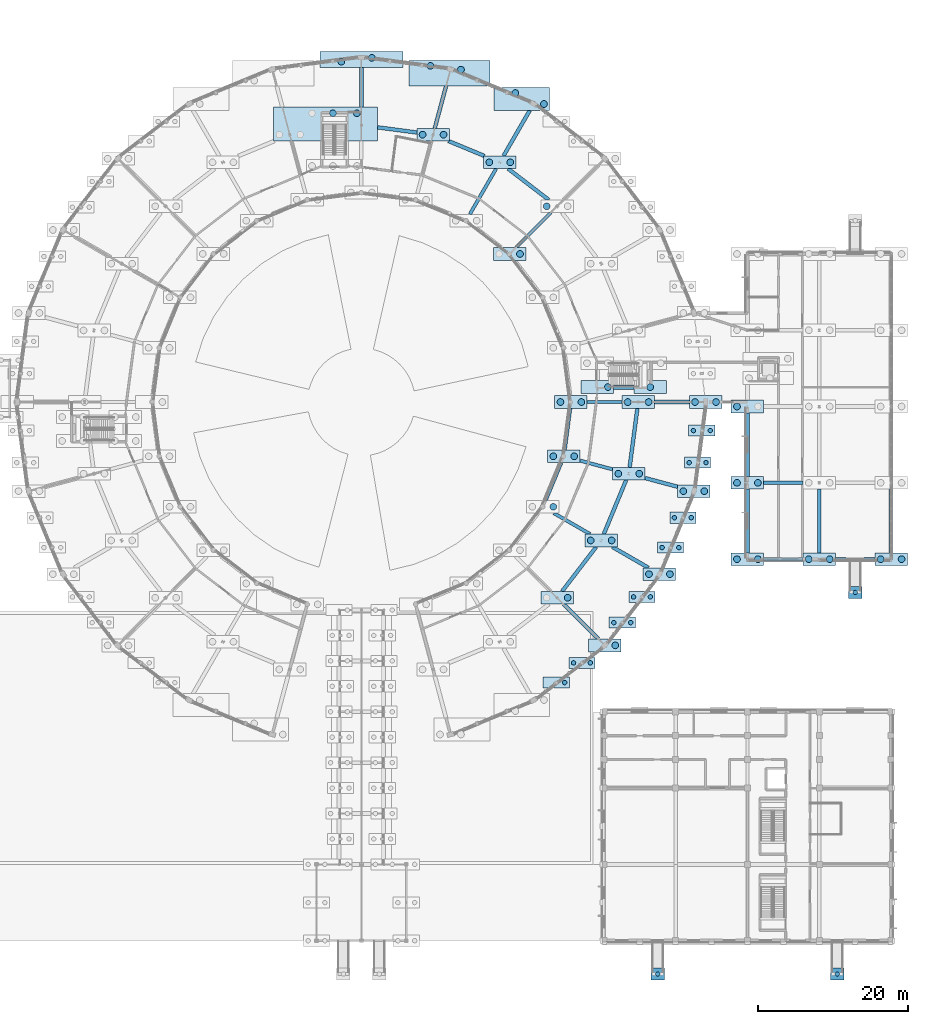
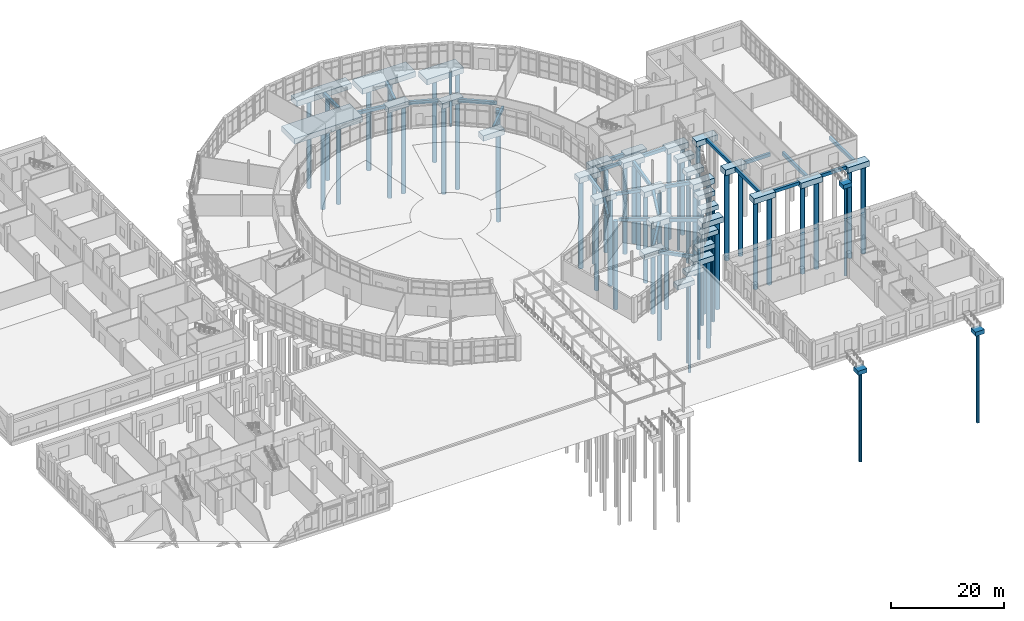
# One storey, part 4 of 137: 63 footings, 62 piles.
"""IFC4 building model written with IfcOpenShell, lengths in metres."""

from ifc_helpers import new_model, si_unit, direction, frame, origin, origin_2d, place, context, subcontext, project, spatial, polyline, rectangle, circle, outline, extrude, material, material_profile, profile_set, type_object, element, save


model = new_model("IFC4")

# Units and contexts
model_context = context("Model", 3, precision=1e-05, world=origin(), true_north=direction((0.0, 1.0)))
body_context = subcontext(model_context, "Body", "Model", "MODEL_VIEW")
ifc_project = project(units=[si_unit("LENGTHUNIT", "METRE"), si_unit("AREAUNIT", "SQUARE_METRE"), si_unit("VOLUMEUNIT", "CUBIC_METRE"), si_unit("PLANEANGLEUNIT", "RADIAN"), si_unit("MASSUNIT", "GRAM", prefix="KILO")], contexts=[model_context])

# Site, building, storey
site_placement = place(None, origin())
site = spatial("IfcSite", under=ifc_project, at=site_placement, CompositionType="ELEMENT")
building_placement = place(site_placement, origin())
building = spatial("IfcBuilding", under=site, at=building_placement, Name="Vondelvale Polytechnic", CompositionType="ELEMENT")
storey_placement = place(building_placement, origin())
storey = spatial("IfcBuildingStorey", under=building, at=storey_placement, Name="L00", CompositionType="ELEMENT", Elevation=0.0)

# Footings
ifc_material = material(Name="Concrete N40 (f'c = 40 MPa)", Category="concrete")
footing_type_1 = type_object("IfcFootingType", Name="GB-450x650", PredefinedType="FOOTING_BEAM", material=ifc_material)
footing_1_placement = place(storey_placement, frame((0.0, 0.0, -1.050048828125)))
element("IfcFooting", 1, at=footing_1_placement, inside=storey, type_object=footing_type_1, Name="Ground tie beam GB-071", PredefinedType="FOOTING_BEAM", context=body_context, shape_type="SweptSolid", body=[
    extrude(outline(polyline([(132.169921875, 71.77490234375), (132.169921875, 72.22509765625), (136.830078125, 72.22509765625), (136.830078125, 71.77490234375), (132.169921875, 71.77490234375)])), origin(), (0.0, 0.0, 1.0), 0.650146484375),
])
footing_2_placement = place(storey_placement, frame((0.0, 0.0, -1.050048828125)))
element("IfcFooting", 2, at=footing_2_placement, inside=storey, type_object=footing_type_1, Name="Ground tie beam GB-077", PredefinedType="FOOTING_BEAM", context=body_context, shape_type="SweptSolid", body=[
    extrude(outline(polyline([(127.47216796875, 97.15380859375), (122.96728515625, 92.64892578125), (122.64892578125, 92.64892578125), (122.489990234375, 92.80810546875), (126.994873046875, 97.31298828125), (127.31298828125, 97.31298828125), (127.47216796875, 97.15380859375)])), origin(), (0.0, 0.0, 1.0), 0.650146484375),
])
footing_3_placement = place(storey_placement, frame((0.0, 0.0, -1.050048828125)))
element("IfcFooting", 3, at=footing_3_placement, inside=storey, type_object=footing_type_1, Name="Ground tie beam GB-079", PredefinedType="FOOTING_BEAM", context=body_context, shape_type="SweptSolid", body=[
    extrude(outline(polyline([(120.2041015625, 103.08056640625), (116.750732421875, 97.09912109375), (116.490966796875, 97.09912109375), (116.296142578125, 97.21142578125), (119.74951171875, 103.193115234375), (120.00927734375, 103.193115234375), (120.2041015625, 103.08056640625)])), origin(), (0.0, 0.0, 1.0), 0.650146484375),
])
footing_4_placement = place(storey_placement, frame((0.0, 0.0, -1.050048828125)))
element("IfcFooting", 4, at=footing_4_placement, inside=storey, type_object=footing_type_1, Name="Ground tie beam GB-114", PredefinedType="FOOTING_BEAM", context=body_context, shape_type="SweptSolid", body=[
    extrude(outline(polyline([(127.6083984375, 56.955078125), (127.720947265625, 57.14990234375), (128.1708984375, 57.14990234375), (132.68310546875, 54.544921875), (132.57080078125, 54.35009765625), (132.12060546875, 54.35009765625), (127.6083984375, 56.955078125)])), origin(), (0.0, 0.0, 1.0), 0.650146484375),
])
footing_5_placement = place(storey_placement, frame((0.0, 0.0, -1.050048828125)))
element("IfcFooting", 5, at=footing_5_placement, inside=storey, type_object=footing_type_1, Name="Ground tie beam GB-116", PredefinedType="FOOTING_BEAM", context=body_context, shape_type="SweptSolid", body=[
    extrude(outline(polyline([(135.5107421875, 62.787841796875), (131.216064453125, 63.938720703125), (131.216064453125, 64.171630859375), (131.274169921875, 64.388916015625), (135.569091796875, 63.23828125), (135.569091796875, 63.005126953125), (135.5107421875, 62.787841796875)])), origin(), (0.0, 0.0, 1.0), 0.650146484375),
])
footing_type_2 = type_object("IfcFootingType", Name="GB-500x700", PredefinedType="FOOTING_BEAM", material=ifc_material)
footing_6_placement = place(storey_placement, frame((0.0, 0.0, -1.10009765625)))
element("IfcFooting", 6, at=footing_6_placement, inside=storey, type_object=footing_type_2, Name="Ground tie beam GB-072", PredefinedType="FOOTING_BEAM", context=body_context, shape_type="SweptSolid", body=[
    extrude(outline(polyline([(141.169921875, 71.75), (141.169921875, 72.25), (145.830078125, 72.25), (145.830078125, 71.75), (141.169921875, 71.75)])), origin(), (0.0, 0.0, 1.0), 0.7001953125),
])
footing_7_placement = place(storey_placement, frame((0.0, 0.0, -1.10009765625)))
element("IfcFooting", 7, at=footing_7_placement, inside=storey, type_object=footing_type_2, Name="Ground tie beam GB-080", PredefinedType="FOOTING_BEAM", context=body_context, shape_type="SweptSolid", body=[
    extrude(outline(polyline([(124.7255859375, 110.862060546875), (121.279541015625, 104.89306640625), (120.99072265625, 104.89306640625), (120.7744140625, 105.01806640625), (124.220458984375, 110.987060546875), (124.509033203125, 110.987060546875), (124.7255859375, 110.862060546875)])), origin(), (0.0, 0.0, 1.0), 0.7001953125),
])
footing_8_placement = place(storey_placement, frame((0.0, 0.0, -1.10009765625)))
element("IfcFooting", 8, at=footing_8_placement, inside=storey, type_object=footing_type_2, Name="Ground tie beam GB-082", PredefinedType="FOOTING_BEAM", context=body_context, shape_type="SweptSolid", body=[
    extrude(outline(polyline([(113.55224609375, 114.147216796875), (112.062744140625, 108.589111328125), (111.803955078125, 108.589111328125), (111.5625, 108.65380859375), (113.052001953125, 114.2119140625), (113.310791015625, 114.2119140625), (113.55224609375, 114.147216796875)])), origin(), (0.0, 0.0, 1.0), 0.7001953125),
])
footing_9_placement = place(storey_placement, frame((0.0, 0.0, -1.10009765625)))
element("IfcFooting", 9, at=footing_9_placement, inside=storey, type_object=footing_type_2, Name="Ground tie beam GB-085", PredefinedType="FOOTING_BEAM", context=body_context, shape_type="SweptSolid", body=[
    extrude(outline(polyline([(102.25, 111.449951171875), (101.75, 111.449951171875), (101.75, 116.748046875), (102.25, 116.748046875), (102.25, 111.449951171875)])), origin(), (0.0, 0.0, 1.0), 0.7001953125),
])
footing_10_placement = place(storey_placement, frame((0.0, 0.0, -1.10009765625)))
element("IfcFooting", 10, at=footing_10_placement, inside=storey, type_object=footing_type_2, Name="Ground tie beam GB-113", PredefinedType="FOOTING_BEAM", context=body_context, shape_type="SweptSolid", body=[
    extrude(outline(polyline([(128.836181640625, 44.810302734375), (129.012939453125, 44.987060546875), (129.36669921875, 44.987060546875), (133.853759765625, 40.499755859375), (133.677001953125, 40.322998046875), (133.323486328125, 40.322998046875), (128.836181640625, 44.810302734375)])), origin(), (0.0, 0.0, 1.0), 0.7001953125),
])
footing_11_placement = place(storey_placement, frame((0.0, 0.0, -1.10009765625)))
element("IfcFooting", 11, at=footing_11_placement, inside=storey, type_object=footing_type_2, Name="Ground tie beam GB-115", PredefinedType="FOOTING_BEAM", context=body_context, shape_type="SweptSolid", body=[
    extrude(outline(polyline([(135.39013671875, 52.43359375), (135.51513671875, 52.64990234375), (136.01513671875, 52.64990234375), (140.489990234375, 50.06640625), (140.364990234375, 49.85009765625), (139.864990234375, 49.85009765625), (135.39013671875, 52.43359375)])), origin(), (0.0, 0.0, 1.0), 0.7001953125),
])
footing_12_placement = place(storey_placement, frame((0.0, 0.0, -1.10009765625)))
element("IfcFooting", 12, at=footing_12_placement, inside=storey, type_object=footing_type_2, Name="Ground tie beam GB-117", PredefinedType="FOOTING_BEAM", context=body_context, shape_type="SweptSolid", body=[
    extrude(outline(polyline([(144.1982421875, 60.43408203125), (139.908935546875, 61.58349609375), (139.908935546875, 61.84228515625), (139.9736328125, 62.083740234375), (144.262939453125, 60.9345703125), (144.262939453125, 60.67578125), (144.1982421875, 60.43408203125)])), origin(), (0.0, 0.0, 1.0), 0.7001953125),
])
footing_13_placement = place(storey_placement, frame((0.0, 0.0, -1.10009765625)))
element("IfcFooting", 13, at=footing_13_placement, inside=storey, type_object=footing_type_2, Name="Ground tie beam GB-125", PredefinedType="FOOTING_BEAM", context=body_context, shape_type="SweptSolid", body=[
    extrude(outline(polyline([(127.20751953125, 99.211181640625), (127.05517578125, 99.012939453125), (126.64453125, 99.012939453125), (121.455322265625, 102.99462890625), (121.607666015625, 103.193115234375), (122.018310546875, 103.193115234375), (127.20751953125, 99.211181640625)])), origin(), (0.0, 0.0, 1.0), 0.7001953125),
])
footing_14_placement = place(storey_placement, frame((0.0, 0.0, -1.10009765625)))
element("IfcFooting", 14, at=footing_14_placement, inside=storey, type_object=footing_type_2, Name="Ground tie beam GB-127", PredefinedType="FOOTING_BEAM", context=body_context, shape_type="SweptSolid", body=[
    extrude(outline(polyline([(118.54345703125, 105.1240234375), (118.44775390625, 104.89306640625), (118.330078125, 104.89306640625), (118.330078125, 104.671142578125), (113.533447265625, 106.657958984375), (113.629150390625, 106.888916015625), (113.74609375, 106.888916015625), (113.74609375, 107.111083984375), (118.54345703125, 105.1240234375)])), origin(), (0.0, 0.0, 1.0), 0.7001953125),
])
footing_15_placement = place(storey_placement, frame((0.0, 0.0, -1.10009765625)))
element("IfcFooting", 15, at=footing_15_placement, inside=storey, type_object=footing_type_2, Name="Ground tie beam GB-129", PredefinedType="FOOTING_BEAM", context=body_context, shape_type="SweptSolid", body=[
    extrude(outline(polyline([(104.20263671875, 108.962158203125), (109.406005859375, 108.277099609375), (109.406005859375, 108.02490234375), (109.373291015625, 107.777099609375), (104.169921875, 108.462158203125), (104.169921875, 108.71435546875), (104.20263671875, 108.962158203125)])), origin(), (0.0, 0.0, 1.0), 0.7001953125),
])
footing_16_placement = place(storey_placement, frame((0.0, 0.0, -1.10009765625)))
element("IfcFooting", 16, at=footing_16_placement, inside=storey, type_object=footing_type_2, Name="Ground tie beam GB-156", PredefinedType="FOOTING_BEAM", context=body_context, shape_type="SweptSolid", body=[
    extrude(outline(polyline([(133.589111328125, 52.497802734375), (129.13037109375, 46.68701171875), (128.815185546875, 46.68701171875), (128.616943359375, 46.839111328125), (133.07568359375, 52.64990234375), (133.390625, 52.64990234375), (133.589111328125, 52.497802734375)])), origin(), (0.0, 0.0, 1.0), 0.7001953125),
])
footing_17_placement = place(storey_placement, frame((0.0, 0.0, -1.10009765625)))
element("IfcFooting", 17, at=footing_17_placement, inside=storey, type_object=footing_type_2, Name="Ground tie beam GB-157", PredefinedType="FOOTING_BEAM", context=body_context, shape_type="SweptSolid", body=[
    extrude(outline(polyline([(128.9248046875, 63.807373046875), (126.871337890625, 58.85009765625), (126.600830078125, 58.85009765625), (126.369873046875, 58.94580078125), (128.423095703125, 63.903076171875), (128.69384765625, 63.903076171875), (128.9248046875, 63.807373046875)])), origin(), (0.0, 0.0, 1.0), 0.7001953125),
])
footing_18_placement = place(storey_placement, frame((0.0, 0.0, -1.10009765625)))
element("IfcFooting", 18, at=footing_18_placement, inside=storey, type_object=footing_type_2, Name="Ground tie beam GB-158", PredefinedType="FOOTING_BEAM", context=body_context, shape_type="SweptSolid", body=[
    extrude(outline(polyline([(137.618408203125, 61.478271484375), (134.66552734375, 54.35009765625), (134.39501953125, 54.35009765625), (134.1640625, 54.44580078125), (137.11669921875, 61.573974609375), (137.38720703125, 61.573974609375), (137.618408203125, 61.478271484375)])), origin(), (0.0, 0.0, 1.0), 0.7001953125),
])
footing_19_placement = place(storey_placement, frame((0.0, 0.0, -1.10009765625)))
element("IfcFooting", 19, at=footing_19_placement, inside=storey, type_object=footing_type_2, Name="Ground tie beam GB-159", PredefinedType="FOOTING_BEAM", context=body_context, shape_type="SweptSolid", body=[
    extrude(outline(polyline([(130.135986328125, 71.117431640625), (129.409912109375, 65.60302734375), (129.15771484375, 65.60302734375), (128.909912109375, 65.635498046875), (129.635986328125, 71.14990234375), (129.88818359375, 71.14990234375), (130.135986328125, 71.117431640625)])), origin(), (0.0, 0.0, 1.0), 0.7001953125),
])
footing_20_placement = place(storey_placement, frame((0.0, 0.0, -1.10009765625)))
element("IfcFooting", 20, at=footing_20_placement, inside=storey, type_object=footing_type_2, Name="Ground tie beam GB-160", PredefinedType="FOOTING_BEAM", context=body_context, shape_type="SweptSolid", body=[
    extrude(outline(polyline([(139.135986328125, 71.117431640625), (138.103515625, 63.27392578125), (137.851318359375, 63.27392578125), (137.603515625, 63.306640625), (138.635986328125, 71.14990234375), (138.88818359375, 71.14990234375), (139.135986328125, 71.117431640625)])), origin(), (0.0, 0.0, 1.0), 0.7001953125),
])
footing_21_placement = place(storey_placement, frame((0.0, 0.0, -1.10009765625)))
element("IfcFooting", 21, at=footing_21_placement, inside=storey, type_object=footing_type_2, Name="Ground tie beam GB-161", PredefinedType="FOOTING_BEAM", context=body_context, shape_type="SweptSolid", body=[
    extrude(outline(polyline([(155.77001953125, 50.75), (155.77001953125, 51.25), (161.030029296875, 51.25), (161.030029296875, 50.75), (155.77001953125, 50.75)])), origin(), (0.0, 0.0, 1.0), 0.7001953125),
])
footing_22_placement = place(storey_placement, frame((0.0, 0.0, -1.10009765625)))
element("IfcFooting", 22, at=footing_22_placement, inside=storey, type_object=footing_type_2, Name="Ground tie beam GB-162", PredefinedType="FOOTING_BEAM", context=body_context, shape_type="SweptSolid", body=[
    extrude(outline(polyline([(165.3701171875, 50.75), (165.3701171875, 51.25), (170.6298828125, 51.25), (170.6298828125, 50.75), (165.3701171875, 50.75)])), origin(), (0.0, 0.0, 1.0), 0.7001953125),
])
footing_23_placement = place(storey_placement, frame((0.0, 0.0, -1.10009765625)))
element("IfcFooting", 23, at=footing_23_placement, inside=storey, type_object=footing_type_2, Name="Ground tie beam GB-163", PredefinedType="FOOTING_BEAM", context=body_context, shape_type="SweptSolid", body=[
    extrude(outline(polyline([(155.77001953125, 60.949951171875), (155.77001953125, 61.449951171875), (161.030029296875, 61.449951171875), (161.030029296875, 60.949951171875), (155.77001953125, 60.949951171875)])), origin(), (0.0, 0.0, 1.0), 0.7001953125),
])
footing_24_placement = place(storey_placement, frame((0.0, 0.0, -1.10009765625)))
element("IfcFooting", 24, at=footing_24_placement, inside=storey, type_object=footing_type_2, Name="Ground tie beam GB-171", PredefinedType="FOOTING_BEAM", context=body_context, shape_type="SweptSolid", body=[
    extrude(outline(polyline([(153.85009765625, 51.85009765625), (153.35009765625, 51.85009765625), (153.35009765625, 60.35009765625), (153.85009765625, 60.35009765625), (153.85009765625, 51.85009765625)])), origin(), (0.0, 0.0, 1.0), 0.7001953125),
])
footing_25_placement = place(storey_placement, frame((0.0, 0.0, -1.10009765625)))
element("IfcFooting", 25, at=footing_25_placement, inside=storey, type_object=footing_type_2, Name="Ground tie beam GB-172", PredefinedType="FOOTING_BEAM", context=body_context, shape_type="SweptSolid", body=[
    extrude(outline(polyline([(153.85009765625, 62.050048828125), (153.35009765625, 62.050048828125), (153.35009765625, 70.550048828125), (153.85009765625, 70.550048828125), (153.85009765625, 62.050048828125)])), origin(), (0.0, 0.0, 1.0), 0.7001953125),
])
footing_26_placement = place(storey_placement, frame((0.0, 0.0, -1.10009765625)))
element("IfcFooting", 26, at=footing_26_placement, inside=storey, type_object=footing_type_2, Name="Ground tie beam GB-176", PredefinedType="FOOTING_BEAM", context=body_context, shape_type="SweptSolid", body=[
    extrude(outline(polyline([(163.449951171875, 51.85009765625), (162.949951171875, 51.85009765625), (162.949951171875, 60.35009765625), (163.449951171875, 60.35009765625), (163.449951171875, 51.85009765625)])), origin(), (0.0, 0.0, 1.0), 0.7001953125),
])
footing_27_placement = place(storey_placement, frame((0.0, 0.0, -1.10009765625)))
element("IfcFooting", 27, at=footing_27_placement, inside=storey, type_object=footing_type_2, Name="Ground tie beam GB-180", PredefinedType="FOOTING_BEAM", context=body_context, shape_type="SweptSolid", body=[
    extrude(outline(polyline([(173.050048828125, 51.85009765625), (172.550048828125, 51.85009765625), (172.550048828125, 60.35009765625), (173.050048828125, 60.35009765625), (173.050048828125, 51.85009765625)])), origin(), (0.0, 0.0, 1.0), 0.7001953125),
])
footing_type_3 = type_object("IfcFootingType", Name="GB-600x800", PredefinedType="FOOTING_BEAM", material=ifc_material)
footing_28_placement = place(storey_placement, frame((0.0, 0.0, -1.199951171875)))
element("IfcFooting", 28, at=footing_28_placement, inside=storey, type_object=footing_type_3, Name="Ground tie beam GB-210", PredefinedType="FOOTING_BEAM", context=body_context, shape_type="SweptSolid", body=[
    extrude(outline(polyline([(135.719970703125, 73.699951171875), (135.719970703125, 74.300048828125), (138.429931640625, 74.300048828125), (138.429931640625, 73.699951171875), (135.719970703125, 73.699951171875)])), origin(), (0.0, 0.0, 1.0), 0.800048828125),
])
footing_type_4 = type_object("IfcFootingType", Name="PC-10850x3472x1200", PredefinedType="PILE_CAP", material=ifc_material)
footing_29_placement = place(storey_placement, frame((113.77587890625, 115.947998046875, -1.60009765625), z_axis=(0.0, 0.0, 1.0), x_axis=(1.0, 0.0, 0.0)))
element("IfcFooting", 29, at=footing_29_placement, inside=storey, type_object=footing_type_4, Name="Pile cap PC-170", PredefinedType="PILE_CAP", context=body_context, shape_type="SweptSolid", body=[
    extrude(rectangle(XDim=10.85009765625, YDim=3.471923828125, at=origin_2d()), origin(), (0.0, 0.0, 1.0), 1.199951171875),
])
footing_type_5 = type_object("IfcFootingType", Name="PC-11110x2102x1200", PredefinedType="PILE_CAP", material=ifc_material)
footing_30_placement = place(storey_placement, frame((102.0, 117.799072265625, -1.60009765625), z_axis=(0.0, 0.0, 1.0), x_axis=(1.0, 0.0, 0.0)))
element("IfcFooting", 30, at=footing_30_placement, inside=storey, type_object=footing_type_5, Name="Pile cap PC-143", PredefinedType="PILE_CAP", context=body_context, shape_type="SweptSolid", body=[
    extrude(rectangle(XDim=11.110107421875, YDim=2.10205078125, at=origin_2d()), origin(), (0.0, 0.0, 1.0), 1.199951171875),
])
footing_type_6 = type_object("IfcFootingType", Name="PC-13916x4561x1200", PredefinedType="PILE_CAP", material=ifc_material)
footing_31_placement = place(storey_placement, frame((97.2119140625, 109.1689453125, -1.60009765625), z_axis=(0.0, 0.0, 1.0), x_axis=(1.0, 0.0, 0.0)))
element("IfcFooting", 31, at=footing_31_placement, inside=storey, type_object=footing_type_6, Name="Pile cap PC-136", PredefinedType="PILE_CAP", context=body_context, shape_type="SweptSolid", body=[
    extrude(rectangle(XDim=13.916015625, YDim=4.56103515625, at=origin_2d()), origin(), (0.0, 0.0, 1.0), 1.199951171875),
])
footing_type_7 = type_object("IfcFootingType", Name="PC-1800x1600x900", PredefinedType="PILE_CAP", material=ifc_material)
for number, where, z_axis, x_axis, name in (
    (32, (141.60009765625, -4.449951171875, -1.179931640625), (0.0, 0.0, 1.0), (1.0, 0.0, 0.0), "Pile cap PCR-RMP-03"),
    (33, (165.60009765625, -4.449951171875, -1.179931640625), (0.0, 0.0, 1.0), (1.0, 0.0, 0.0), "Pile cap PCR-RMP-04"),
    (34, (168.0, 46.550048828125, -1.179931640625), (0.0, 0.0, 1.0), (1.0, 0.0, 0.0), "Pile cap PCR-RMP-05"),
):
    element("IfcFooting", number, at=place(storey_placement, frame(where, z_axis=z_axis, x_axis=x_axis)), inside=storey, type_object=footing_type_7, Name=name, PredefinedType="PILE_CAP", context=body_context, shape_type="SweptSolid", body=[
        extrude(rectangle(XDim=1.800048828125, YDim=1.60009765625, at=origin_2d()), origin(), (0.0, 0.0, 1.0), 0.89990234375),
    ])
footing_type_8 = type_object("IfcFootingType", Name="PC-3490x1500x1000", PredefinedType="PILE_CAP", material=ifc_material)
for number, where, z_axis, x_axis, name in (
    (35, (128.049072265625, 34.501953125, -1.39990234375), (0.0, 0.0, 1.0), (1.0, 0.0, 0.0), "Pile cap PC-184"),
    (36, (131.47802734375, 37.134033203125, -1.39990234375), (0.0, 0.0, 1.0), (1.0, 0.0, 0.0), "Pile cap PC-191"),
    (37, (136.865966796875, 42.52197265625, -1.39990234375), (0.0, 0.0, 1.0), (1.0, 0.0, 0.0), "Pile cap PC-202"),
    (38, (139.498046875, 45.950927734375, -1.39990234375), (0.0, 0.0, 1.0), (1.0, 0.0, 0.0), "Pile cap PC-208"),
    (39, (143.30810546875, 52.550048828125, -1.39990234375), (0.0, 0.0, 1.0), (1.0, 0.0, 0.0), "Pile cap PC-214"),
    (40, (144.9619140625, 56.5439453125, -1.39990234375), (0.0, 0.0, 1.0), (1.0, 0.0, 0.0), "Pile cap PC-219"),
    (41, (146.93408203125, 63.904052734375, -1.39990234375), (0.0, 0.0, 1.0), (1.0, 0.0, 0.0), "Pile cap PC-223"),
    (42, (147.498046875, 68.18994140625, -1.39990234375), (0.0, 0.0, 1.0), (1.0, 0.0, 0.0), "Pile cap PC-225"),
):
    element("IfcFooting", number, at=place(storey_placement, frame(where, z_axis=z_axis, x_axis=x_axis)), inside=storey, type_object=footing_type_8, Name=name, PredefinedType="PILE_CAP", context=body_context, shape_type="SweptSolid", body=[
        extrude(rectangle(XDim=3.489990234375, YDim=1.5, at=origin_2d()), origin(), (0.0, 0.0, 1.0), 1.0),
    ])
footing_type_9 = type_object("IfcFootingType", Name="PC-4340x1700x1200", PredefinedType="PILE_CAP", material=ifc_material)
for number, where, z_axis, x_axis, name in (
    (43, (111.575927734375, 107.739013671875, -1.60009765625), (0.0, 0.0, 1.0), (1.0, 0.0, 0.0), "Pile cap PC-172"),
    (44, (120.5, 104.04296875, -1.60009765625), (0.0, 0.0, 1.0), (1.0, 0.0, 0.0), "Pile cap PC-177"),
    (45, (121.799072265625, 91.799072265625, -1.60009765625), (0.0, 0.0, 1.0), (1.0, 0.0, 0.0), "Pile cap PC-181"),
    (46, (128.1630859375, 45.8369140625, -1.60009765625), (0.0, 0.0, 1.0), (1.0, 0.0, 0.0), "Pile cap PC-186"),
    (47, (129.0458984375, 64.7529296875, -1.60009765625), (0.0, 0.0, 1.0), (1.0, 0.0, 0.0), "Pile cap PC-188"),
    (48, (130.0, 72.0, -1.60009765625), (0.0, 0.0, 1.0), (1.0, 0.0, 0.0), "Pile cap PC-190"),
    (49, (133.550048828125, 74.0, -1.60009765625), (0.0, 0.0, 1.0), (1.0, 0.0, 0.0), "Pile cap PC-193"),
    (50, (134.04296875, 53.5, -1.60009765625), (0.0, 0.0, 1.0), (1.0, 0.0, 0.0), "Pile cap PC-195"),
    (51, (134.527099609375, 39.472900390625, -1.60009765625), (0.0, 0.0, 1.0), (1.0, 0.0, 0.0), "Pile cap PC-200"),
    (52, (137.739013671875, 62.424072265625, -1.60009765625), (0.0, 0.0, 1.0), (1.0, 0.0, 0.0), "Pile cap PC-204"),
    (53, (139.0, 72.0, -1.60009765625), (0.0, 0.0, 1.0), (1.0, 0.0, 0.0), "Pile cap PC-206"),
    (54, (140.60009765625, 74.0, -1.60009765625), (0.0, 0.0, 1.0), (1.0, 0.0, 0.0), "Pile cap PC-210"),
    (55, (141.8369140625, 49.0, -1.60009765625), (0.0, 0.0, 1.0), (1.0, 0.0, 0.0), "Pile cap PC-212"),
    (56, (146.43310546875, 60.093994140625, -1.60009765625), (0.0, 0.0, 1.0), (1.0, 0.0, 0.0), "Pile cap PC-221"),
    (57, (148.0, 72.0, -1.60009765625), (0.0, 0.0, 1.0), (1.0, 0.0, 0.0), "Pile cap PC-227"),
    (58, (153.60009765625, 51.0, -1.60009765625), (0.0, 0.0, 1.0), (1.0, 0.0, 0.0), "Pile cap PC-232"),
    (59, (153.60009765625, 61.199951171875, -1.60009765625), (0.0, 0.0, 1.0), (1.0, 0.0, 0.0), "Pile cap PC-233"),
    (60, (153.60009765625, 71.39990234375, -1.60009765625), (0.0, 0.0, 1.0), (1.0, 0.0, 0.0), "Pile cap PC-234"),
    (61, (163.199951171875, 51.0, -1.60009765625), (0.0, 0.0, 1.0), (1.0, 0.0, 0.0), "Pile cap PC-241"),
    (62, (172.800048828125, 51.0, -1.60009765625), (0.0, 0.0, 1.0), (1.0, 0.0, 0.0), "Pile cap PC-250"),
):
    element("IfcFooting", number, at=place(storey_placement, frame(where, z_axis=z_axis, x_axis=x_axis)), inside=storey, type_object=footing_type_9, Name=name, PredefinedType="PILE_CAP", context=body_context, shape_type="SweptSolid", body=[
        extrude(rectangle(XDim=4.340087890625, YDim=1.699951171875, at=origin_2d()), origin(), (0.0, 0.0, 1.0), 1.199951171875),
    ])
footing_type_10 = type_object("IfcFootingType", Name="PC-7465x3071x1200", PredefinedType="PILE_CAP", material=ifc_material)
footing_32_placement = place(storey_placement, frame((123.43798828125, 112.52294921875, -1.60009765625), z_axis=(0.0, 0.0, 1.0), x_axis=(1.0, 0.0, 0.0)))
element("IfcFooting", 63, at=footing_32_placement, inside=storey, type_object=footing_type_10, Name="Pile cap PC-179", PredefinedType="PILE_CAP", context=body_context, shape_type="SweptSolid", body=[
    extrude(rectangle(XDim=7.465087890625, YDim=3.071044921875, at=origin_2d()), origin(), (0.0, 0.0, 1.0), 1.199951171875),
])

# Piles
ifc_material_profile_1 = material_profile(ifc_material, circle(Radius=0.300048828125, at=origin_2d()), Name="PILE-D600")
ifc_profile_set_1 = profile_set([ifc_material_profile_1], Name="Concrete N40 (f'c = 40 MPa)")
pile_type_1 = type_object("IfcPileType", Name="PILE-BORED-600", PredefinedType="BORED", material=ifc_profile_set_1)
for number, where, z_axis, x_axis, name in (
    (64, (129.174072265625, 34.501953125, -1.25), (0.0, 0.0, -1.0), (1.0, 0.0, 0.0), "Bored pile BP-600-184-1"),
    (65, (130.35302734375, 37.134033203125, -1.25), (0.0, 0.0, -1.0), (1.0, 0.0, 0.0), "Bored pile BP-600-191-1"),
    (66, (132.60302734375, 37.134033203125, -1.25), (0.0, 0.0, -1.0), (1.0, 0.0, 0.0), "Bored pile BP-600-191-2"),
    (67, (135.740966796875, 42.52197265625, -1.25), (0.0, 0.0, -1.0), (1.0, 0.0, 0.0), "Bored pile BP-600-202-1"),
    (68, (137.990966796875, 42.52197265625, -1.25), (0.0, 0.0, -1.0), (1.0, 0.0, 0.0), "Bored pile BP-600-202-2"),
    (69, (138.373046875, 45.950927734375, -1.25), (0.0, 0.0, -1.0), (1.0, 0.0, 0.0), "Bored pile BP-600-208-1"),
    (70, (140.623046875, 45.950927734375, -1.25), (0.0, 0.0, -1.0), (1.0, 0.0, 0.0), "Bored pile BP-600-208-2"),
    (71, (142.18310546875, 52.550048828125, -1.25), (0.0, 0.0, -1.0), (1.0, 0.0, 0.0), "Bored pile BP-600-214-1"),
    (72, (144.43310546875, 52.550048828125, -1.25), (0.0, 0.0, -1.0), (1.0, 0.0, 0.0), "Bored pile BP-600-214-2"),
    (73, (143.8369140625, 56.5439453125, -1.25), (0.0, 0.0, -1.0), (1.0, 0.0, 0.0), "Bored pile BP-600-219-1"),
    (74, (146.0869140625, 56.5439453125, -1.25), (0.0, 0.0, -1.0), (1.0, 0.0, 0.0), "Bored pile BP-600-219-2"),
    (75, (145.80908203125, 63.904052734375, -1.25), (0.0, 0.0, -1.0), (1.0, 0.0, 0.0), "Bored pile BP-600-223-1"),
    (76, (148.05908203125, 63.904052734375, -1.25), (0.0, 0.0, -1.0), (1.0, 0.0, 0.0), "Bored pile BP-600-223-2"),
    (77, (146.373046875, 68.18994140625, -1.25), (0.0, 0.0, -1.0), (1.0, 0.0, 0.0), "Bored pile BP-600-225-1"),
    (78, (148.623046875, 68.18994140625, -1.25), (0.0, 0.0, -1.0), (1.0, 0.0, 0.0), "Bored pile BP-600-225-2"),
):
    element("IfcPile", number, at=place(storey_placement, frame(where, z_axis=z_axis, x_axis=x_axis)), inside=storey, type_object=pile_type_1, Name=name, PredefinedType="BORED", context=body_context, shape_type="SweptSolid", body=[
        extrude(circle(Radius=0.300048828125, at=origin_2d()), origin(), (0.0, 0.0, 1.0), 19.25),
    ])
for number, where, z_axis, x_axis, name in (
    (79, (141.60009765625, -4.449951171875, -1.030029296875), (0.0, 0.0, -1.0), (1.0, 0.0, 0.0), "Bored pile BPR-RMP-03"),
    (80, (165.60009765625, -4.449951171875, -1.030029296875), (0.0, 0.0, -1.0), (1.0, 0.0, 0.0), "Bored pile BPR-RMP-04"),
    (81, (168.0, 46.550048828125, -1.030029296875), (0.0, 0.0, -1.0), (1.0, 0.0, 0.0), "Bored pile BPR-RMP-05"),
):
    element("IfcPile", number, at=place(storey_placement, frame(where, z_axis=z_axis, x_axis=x_axis)), inside=storey, type_object=pile_type_1, Name=name, PredefinedType="BORED", context=body_context, shape_type="SweptSolid", body=[
        extrude(circle(Radius=0.300048828125, at=origin_2d()), origin(), (0.0, 0.0, 1.0), 19.469970703125),
    ])
ifc_material_profile_2 = material_profile(ifc_material, circle(Radius=0.449951171875, at=origin_2d()), Name="PILE-D900")
ifc_profile_set_2 = profile_set([ifc_material_profile_2], Name="Concrete N40 (f'c = 40 MPa)")
pile_type_2 = type_object("IfcPileType", Name="PILE-BORED-900", PredefinedType="BORED", material=ifc_profile_set_2)
for number, where, z_axis, x_axis, name in (
    (82, (98.199951171875, 110.60009765625, -1.449951171875), (0.0, 0.0, -1.0), (1.0, 0.0, 0.0), "Bored pile BP-900-136-4"),
    (83, (101.39990234375, 110.60009765625, -1.449951171875), (0.0, 0.0, -1.0), (1.0, 0.0, 0.0), "Bored pile BP-900-136-5"),
    (84, (99.31494140625, 117.498046875, -1.449951171875), (0.0, 0.0, -1.0), (1.0, 0.0, 0.0), "Bored pile BP-900-143-1"),
    (85, (103.39990234375, 118.0, -1.449951171875), (0.0, 0.0, -1.0), (1.0, 0.0, 0.0), "Bored pile BP-900-143-2"),
    (86, (111.220947265625, 116.93408203125, -1.449951171875), (0.0, 0.0, -1.0), (1.0, 0.0, 0.0), "Bored pile BP-900-170-1"),
    (87, (115.305908203125, 116.43310546875, -1.449951171875), (0.0, 0.0, -1.0), (1.0, 0.0, 0.0), "Bored pile BP-900-170-2"),
    (88, (110.176025390625, 107.739013671875, -1.449951171875), (0.0, 0.0, -1.0), (1.0, 0.0, 0.0), "Bored pile BP-900-172-1"),
    (89, (112.97607421875, 107.739013671875, -1.449951171875), (0.0, 0.0, -1.0), (1.0, 0.0, 0.0), "Bored pile BP-900-172-2"),
    (90, (119.10009765625, 104.04296875, -1.449951171875), (0.0, 0.0, -1.0), (1.0, 0.0, 0.0), "Bored pile BP-900-177-1"),
    (91, (121.89990234375, 104.04296875, -1.449951171875), (0.0, 0.0, -1.0), (1.0, 0.0, 0.0), "Bored pile BP-900-177-2"),
    (92, (122.574951171875, 113.30810546875, -1.449951171875), (0.0, 0.0, -1.0), (1.0, 0.0, 0.0), "Bored pile BP-900-179-1"),
    (93, (126.39990234375, 111.8369140625, -1.449951171875), (0.0, 0.0, -1.0), (1.0, 0.0, 0.0), "Bored pile BP-900-179-2"),
    (94, (123.198974609375, 91.799072265625, -1.449951171875), (0.0, 0.0, -1.0), (1.0, 0.0, 0.0), "Bored pile BP-900-181-2"),
    (95, (127.64892578125, 58.0, -1.449951171875), (0.0, 0.0, -1.0), (1.0, 0.0, 0.0), "Bored pile BP-900-182-2"),
    (96, (129.56298828125, 45.8369140625, -1.449951171875), (0.0, 0.0, -1.0), (1.0, 0.0, 0.0), "Bored pile BP-900-186-2"),
    (97, (126.762939453125, 98.1630859375, -1.449951171875), (0.0, 0.0, -1.0), (1.0, 0.0, 0.0), "Bored pile BP-900-187-1"),
    (98, (127.64599609375, 64.7529296875, -1.449951171875), (0.0, 0.0, -1.0), (1.0, 0.0, 0.0), "Bored pile BP-900-188-1"),
    (99, (130.446044921875, 64.7529296875, -1.449951171875), (0.0, 0.0, -1.0), (1.0, 0.0, 0.0), "Bored pile BP-900-188-2"),
    (100, (128.60009765625, 72.0, -1.449951171875), (0.0, 0.0, -1.0), (1.0, 0.0, 0.0), "Bored pile BP-900-190-1"),
    (101, (131.39990234375, 72.0, -1.449951171875), (0.0, 0.0, -1.0), (1.0, 0.0, 0.0), "Bored pile BP-900-190-2"),
    (102, (134.949951171875, 74.0, -1.449951171875), (0.0, 0.0, -1.0), (1.0, 0.0, 0.0), "Bored pile BP-900-193-1"),
    (103, (132.64306640625, 53.5, -1.449951171875), (0.0, 0.0, -1.0), (1.0, 0.0, 0.0), "Bored pile BP-900-195-1"),
    (104, (135.443115234375, 53.5, -1.449951171875), (0.0, 0.0, -1.0), (1.0, 0.0, 0.0), "Bored pile BP-900-195-2"),
    (105, (135.927001953125, 39.472900390625, -1.449951171875), (0.0, 0.0, -1.0), (1.0, 0.0, 0.0), "Bored pile BP-900-200-1"),
    (106, (136.339111328125, 62.424072265625, -1.449951171875), (0.0, 0.0, -1.0), (1.0, 0.0, 0.0), "Bored pile BP-900-204-1"),
    (107, (139.138916015625, 62.424072265625, -1.449951171875), (0.0, 0.0, -1.0), (1.0, 0.0, 0.0), "Bored pile BP-900-204-2"),
    (108, (137.60009765625, 72.0, -1.449951171875), (0.0, 0.0, -1.0), (1.0, 0.0, 0.0), "Bored pile BP-900-206-1"),
    (109, (140.39990234375, 72.0, -1.449951171875), (0.0, 0.0, -1.0), (1.0, 0.0, 0.0), "Bored pile BP-900-206-2"),
    (110, (140.60009765625, 74.0, -1.449951171875), (0.0, 0.0, -1.0), (1.0, 0.0, 0.0), "Bored pile BP-900-210-1"),
    (111, (140.43701171875, 49.0, -1.449951171875), (0.0, 0.0, -1.0), (1.0, 0.0, 0.0), "Bored pile BP-900-212-1"),
    (112, (143.237060546875, 49.0, -1.449951171875), (0.0, 0.0, -1.0), (1.0, 0.0, 0.0), "Bored pile BP-900-212-2"),
    (113, (145.032958984375, 60.093994140625, -1.449951171875), (0.0, 0.0, -1.0), (1.0, 0.0, 0.0), "Bored pile BP-900-221-1"),
    (114, (147.8330078125, 60.093994140625, -1.449951171875), (0.0, 0.0, -1.0), (1.0, 0.0, 0.0), "Bored pile BP-900-221-2"),
    (115, (146.60009765625, 72.0, -1.449951171875), (0.0, 0.0, -1.0), (1.0, 0.0, 0.0), "Bored pile BP-900-227-1"),
    (116, (149.39990234375, 72.0, -1.449951171875), (0.0, 0.0, -1.0), (1.0, 0.0, 0.0), "Bored pile BP-900-227-2"),
    (117, (152.199951171875, 51.0, -1.449951171875), (0.0, 0.0, -1.0), (1.0, 0.0, 0.0), "Bored pile BP-900-232-1"),
    (118, (155.0, 51.0, -1.449951171875), (0.0, 0.0, -1.0), (1.0, 0.0, 0.0), "Bored pile BP-900-232-2"),
    (119, (152.199951171875, 61.199951171875, -1.449951171875), (0.0, 0.0, -1.0), (1.0, 0.0, 0.0), "Bored pile BP-900-233-1"),
    (120, (155.0, 61.199951171875, -1.449951171875), (0.0, 0.0, -1.0), (1.0, 0.0, 0.0), "Bored pile BP-900-233-2"),
    (121, (152.199951171875, 71.39990234375, -1.449951171875), (0.0, 0.0, -1.0), (1.0, 0.0, 0.0), "Bored pile BP-900-234-1"),
    (122, (161.800048828125, 51.0, -1.449951171875), (0.0, 0.0, -1.0), (1.0, 0.0, 0.0), "Bored pile BP-900-241-1"),
    (123, (164.60009765625, 51.0, -1.449951171875), (0.0, 0.0, -1.0), (1.0, 0.0, 0.0), "Bored pile BP-900-241-2"),
    (124, (171.39990234375, 51.0, -1.449951171875), (0.0, 0.0, -1.0), (1.0, 0.0, 0.0), "Bored pile BP-900-250-1"),
    (125, (174.199951171875, 51.0, -1.449951171875), (0.0, 0.0, -1.0), (1.0, 0.0, 0.0), "Bored pile BP-900-250-2"),
):
    element("IfcPile", number, at=place(storey_placement, frame(where, z_axis=z_axis, x_axis=x_axis)), inside=storey, type_object=pile_type_2, Name=name, PredefinedType="BORED", context=body_context, shape_type="SweptSolid", body=[
        extrude(circle(Radius=0.449951171875, at=origin_2d()), origin(), (0.0, 0.0, 1.0), 19.050048828125),
    ])

save(model, "model.ifc")
